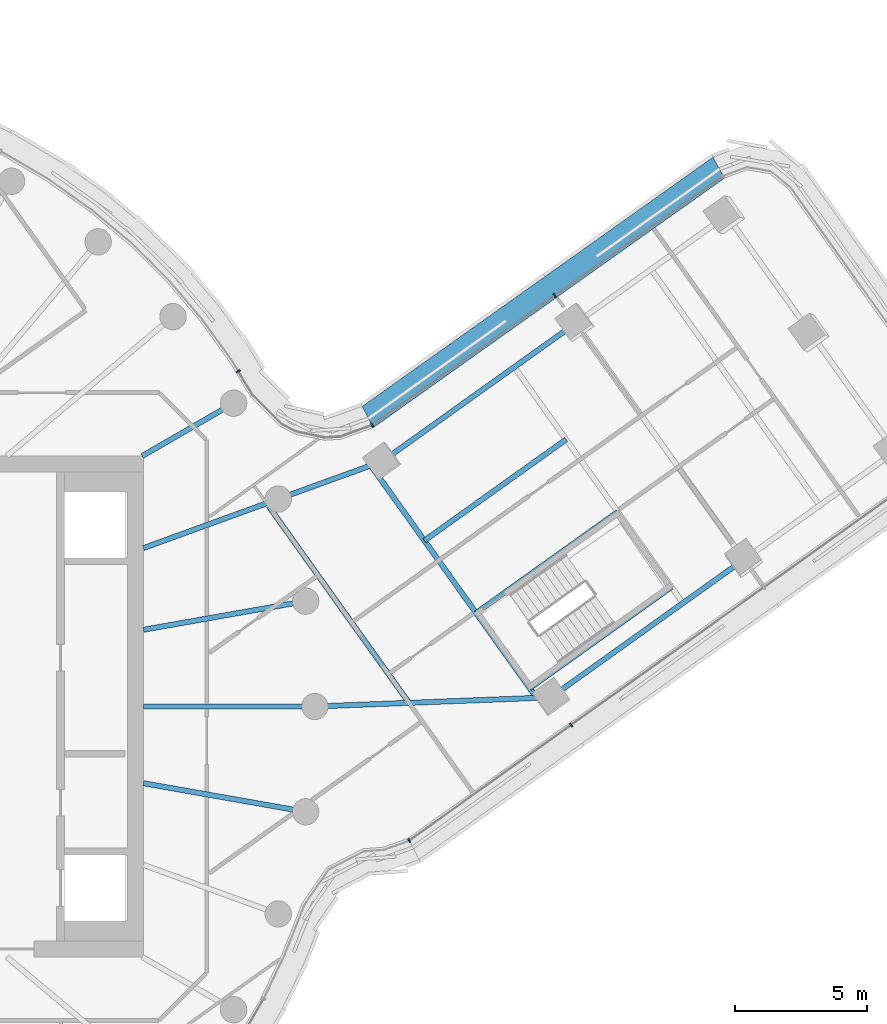
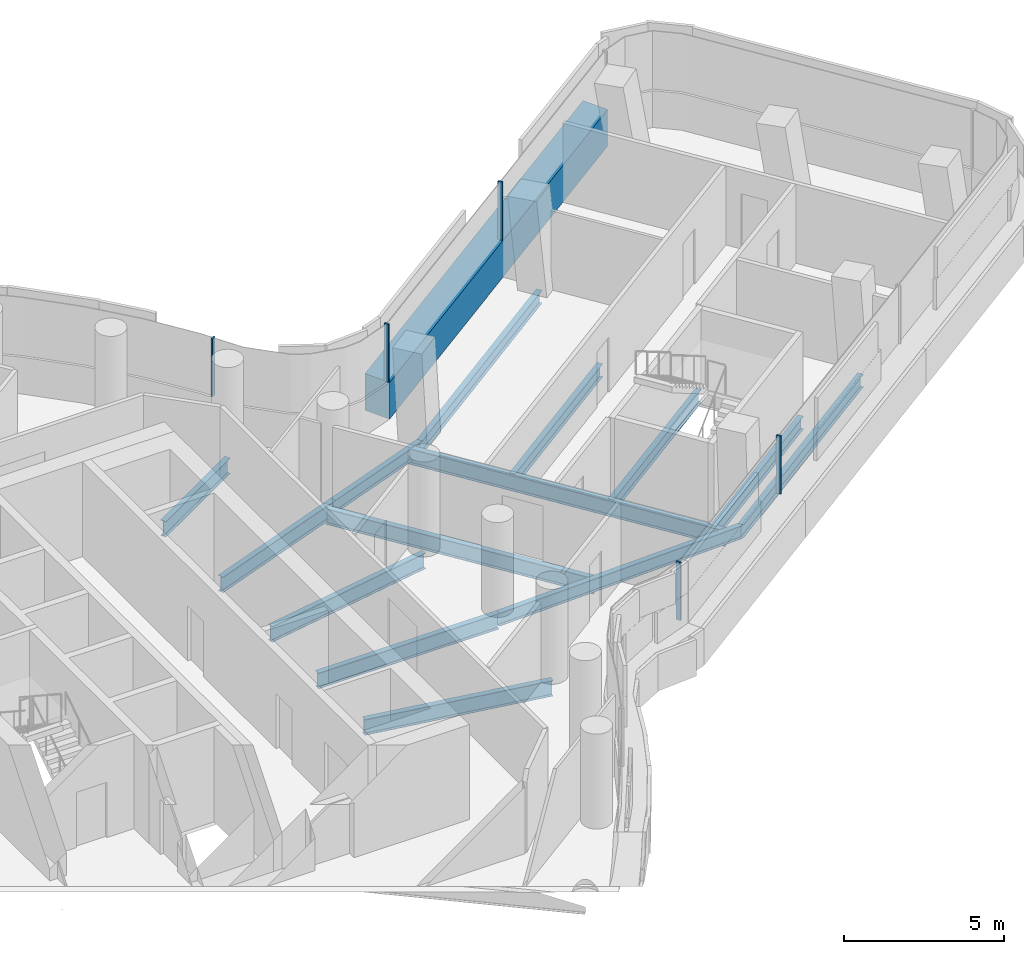
# One storey, part 11 of 31: 14 beams, 6 members, 3 elements without a shape of their own.
"""IFC4 building model written with IfcOpenShell, lengths in metres."""

from ifc_helpers import new_model, si_unit, direction, frame, origin, origin_2d, place, context, subcontext, project, spatial, polyline, rectangle, i_section, outline, extrude, material, layer, layer_set, material_profile, profile_set, type_object, element, aggregate, save


model = new_model("IFC4")

# Units and contexts
model_context = context("Model", 3, precision=1e-05, world=origin(), true_north=direction((0.0, 1.0)))
body_context = subcontext(model_context, "Body", "Model", "MODEL_VIEW")
ifc_project = project(units=[si_unit("LENGTHUNIT", "METRE"), si_unit("AREAUNIT", "SQUARE_METRE"), si_unit("VOLUMEUNIT", "CUBIC_METRE"), si_unit("PLANEANGLEUNIT", "RADIAN"), si_unit("MASSUNIT", "GRAM", prefix="KILO")], contexts=[model_context])

# Site, building, storey
site_placement = place(None, origin())
site = spatial("IfcSite", under=ifc_project, at=site_placement, CompositionType="ELEMENT")
building_placement = place(site_placement, origin())
building = spatial("IfcBuilding", under=site, at=building_placement, Name="Tamarind Cross Interchange Tower", CompositionType="ELEMENT")
storey_placement = place(building_placement, frame((0.0, 0.0, 163.0)))
storey = spatial("IfcBuildingStorey", under=building, at=storey_placement, Name="L40", CompositionType="ELEMENT", Elevation=163.0)

# Beams
ifc_material_1 = material(Name="Steel Q355B", Category="steel")
ifc_material_profile_1 = material_profile(ifc_material_1, i_section(OverallWidth=0.198974609375, OverallDepth=0.49609375, WebThickness=0.009033203125, FlangeThickness=0.013916015625, FilletRadius=0.012939453125, at=origin_2d()), Name="HN 496x199x9x14")
ifc_profile_set_1 = profile_set([ifc_material_profile_1], Name="Steel Q355B")
beam_type_1 = type_object("IfcBeamType", Name="Composite beam HN 496x199x9x14 Q355B", PredefinedType="BEAM", material=ifc_profile_set_1)
beam_1_placement = place(storey_placement, frame((39.27587890625, 5.575439453125, -0.387939453125), z_axis=(-0.813883740834, -0.581027758722, 0.0), x_axis=(0.581027758722, -0.813883740834, 0.0)))
element("IfcBeam", 1, at=beam_1_placement, inside=storey, type_object=beam_type_1, Name="Beam E-edgeem6", PredefinedType="BEAM", context=body_context, shape_type="SweptSolid", body=[
    extrude(i_section(OverallWidth=0.198974609375, OverallDepth=0.49609375, WebThickness=0.009033203125, FlangeThickness=0.013916015625, FilletRadius=0.012939453125, at=origin_2d()), origin(), (0.0, 0.0, 1.0), 9.0),
])
beam_2_placement = place(storey_placement, frame((32.884521484375, 14.5283203125, -0.387939453125), z_axis=(-0.813870912898, -0.581045727236, 0.0), x_axis=(0.581045727236, -0.813870912898, 0.0)))
element("IfcBeam", 2, at=beam_2_placement, inside=storey, type_object=beam_type_1, Name="Beam E-edgeep3", PredefinedType="BEAM", context=body_context, shape_type="SweptSolid", body=[
    extrude(i_section(OverallWidth=0.198974609375, OverallDepth=0.49609375, WebThickness=0.009033203125, FlangeThickness=0.013916015625, FilletRadius=0.012939453125, at=origin_2d()), origin(), (0.0, 0.0, 1.0), 9.000244140625),
])
beam_3_placement = place(storey_placement, frame((31.950927734375, 0.34619140625, -0.387939453125), z_axis=(-0.999252898578, -0.038647699593, 0.0), x_axis=(0.038647699593, -0.999252898578, 0.0)))
element("IfcBeam", 3, at=beam_3_placement, inside=storey, type_object=beam_type_1, Name="Beam E-linkem", PredefinedType="BEAM", context=body_context, shape_type="SweptSolid", body=[
    extrude(i_section(OverallWidth=0.198974609375, OverallDepth=0.49609375, WebThickness=0.009033203125, FlangeThickness=0.013916015625, FilletRadius=0.012939453125, at=origin_2d()), origin(), (0.0, 0.0, 1.0), 8.95751953125),
])
beam_4_placement = place(storey_placement, frame((25.5595703125, 9.298828125, -0.387939453125), z_axis=(-0.940002080306, -0.341168710495, 0.0), x_axis=(0.341168710495, -0.940002080306, 0.0)))
element("IfcBeam", 4, at=beam_4_placement, inside=storey, type_object=beam_type_1, Name="Beam E-linkep", PredefinedType="BEAM", context=body_context, shape_type="SweptSolid", body=[
    extrude(i_section(OverallWidth=0.198974609375, OverallDepth=0.49609375, WebThickness=0.009033203125, FlangeThickness=0.013916015625, FilletRadius=0.012939453125, at=origin_2d()), origin(), (0.0, 0.0, 1.0), 4.198486328125),
])
for number, where, z_axis, x_axis, name in (
    (5, (31.14892578125, 0.695068359375, -0.387939453125), (0.813868415176, 0.581049225779, 0.0), (-0.581049225779, 0.813868415176, 0.0), "Beam E-tr0"),
    (6, (29.115234375, 3.543701171875, -0.387939453125), (0.813868415176, 0.581049225779, 0.0), (-0.581049225779, 0.813868415176, 0.0), "Beam E-tr1"),
    (7, (27.154296875, 6.29052734375, -0.387939453125), (0.813868415176, 0.581049225779, 0.0), (-0.581049225779, 0.813868415176, 0.0), "Beam E-stripp"),
):
    element("IfcBeam", number, at=place(storey_placement, frame(where, z_axis=z_axis, x_axis=x_axis)), inside=storey, type_object=beam_type_1, Name=name, PredefinedType="BEAM", context=body_context, shape_type="SweptSolid", body=[
        extrude(i_section(OverallWidth=0.198974609375, OverallDepth=0.49609375, WebThickness=0.009033203125, FlangeThickness=0.013916015625, FilletRadius=0.012939453125, at=origin_2d()), origin(), (0.0, 0.0, 1.0), 6.60009765625),
    ])
ifc_material_profile_2 = material_profile(ifc_material_1, i_section(OverallWidth=0.198974609375, OverallDepth=0.595947265625, WebThickness=0.010009765625, FlangeThickness=0.014892578125, FilletRadius=0.012939453125, at=origin_2d()), Name="HN 596x199x10x15")
ifc_profile_set_2 = profile_set([ifc_material_profile_2], Name="Steel Q355B")
beam_type_2 = type_object("IfcBeamType", Name="Composite beam HN 596x199x10x15 Q355B", PredefinedType="BEAM", material=ifc_profile_set_2)
beam_5_placement = place(storey_placement, frame((23.0, 0.0, -0.43798828125), z_axis=(-1.0, 0.0, 0.0), x_axis=(0.0, -1.0, 0.0)))
element("IfcBeam", 8, at=beam_5_placement, inside=storey, type_object=beam_type_2, Name="Beam HH00", PredefinedType="BEAM", context=body_context, shape_type="SweptSolid", body=[
    extrude(i_section(OverallWidth=0.198974609375, OverallDepth=0.595947265625, WebThickness=0.010009765625, FlangeThickness=0.014892578125, FilletRadius=0.012939453125, at=origin_2d()), origin(), (0.0, 0.0, 1.0), 6.5),
])
beam_6_placement = place(storey_placement, frame((22.650634765625, 3.993896484375, -0.43798828125), z_axis=(-0.984809127561, -0.173640382036, 0.0), x_axis=(0.173640382036, -0.984809127561, 0.0)))
element("IfcBeam", 9, at=beam_6_placement, inside=storey, type_object=beam_type_2, Name="Beam HH01", PredefinedType="BEAM", context=body_context, shape_type="SweptSolid", body=[
    extrude(i_section(OverallWidth=0.198974609375, OverallDepth=0.595947265625, WebThickness=0.010009765625, FlangeThickness=0.014892578125, FilletRadius=0.012939453125, at=origin_2d()), origin(), (0.0, 0.0, 1.0), 6.24560546875),
])
beam_7_placement = place(storey_placement, frame((21.613037109375, 7.866455078125, -0.43798828125), z_axis=(-0.939701685589, -0.341995236956, 0.0), x_axis=(0.341995236956, -0.939701685589, 0.0)))
element("IfcBeam", 10, at=beam_7_placement, inside=storey, type_object=beam_type_2, Name="Beam HH02", PredefinedType="BEAM", context=body_context, shape_type="SweptSolid", body=[
    extrude(i_section(OverallWidth=0.198974609375, OverallDepth=0.595947265625, WebThickness=0.010009765625, FlangeThickness=0.014892578125, FilletRadius=0.012939453125, at=origin_2d()), origin(), (0.0, 0.0, 1.0), 5.441162109375),
])
beam_8_placement = place(storey_placement, frame((19.918701171875, 11.5, -0.43798828125), z_axis=(-0.866026010844, -0.49999894854, 0.0), x_axis=(0.49999894854, -0.866026010844, 0.0)))
element("IfcBeam", 11, at=beam_8_placement, inside=storey, type_object=beam_type_2, Name="Beam HH03", PredefinedType="BEAM", context=body_context, shape_type="SweptSolid", body=[
    extrude(i_section(OverallWidth=0.198974609375, OverallDepth=0.595947265625, WebThickness=0.010009765625, FlangeThickness=0.014892578125, FilletRadius=0.012939453125, at=origin_2d()), origin(), (0.0, 0.0, 1.0), 4.0),
])
beam_9_placement = place(storey_placement, frame((22.650634765625, -3.993896484375, -0.43798828125), z_axis=(-0.984809127561, 0.173640382036, 0.0), x_axis=(-0.173640382036, -0.984809127561, 0.0)))
element("IfcBeam", 12, at=beam_9_placement, inside=storey, type_object=beam_type_2, Name="Beam HH35", PredefinedType="BEAM", context=body_context, shape_type="SweptSolid", body=[
    extrude(i_section(OverallWidth=0.198974609375, OverallDepth=0.595947265625, WebThickness=0.010009765625, FlangeThickness=0.014892578125, FilletRadius=0.012939453125, at=origin_2d()), origin(), (0.0, 0.0, 1.0), 6.24560546875),
])
ifc_material_profile_3 = material_profile(ifc_material_1, i_section(OverallWidth=0.199951171875, OverallDepth=0.60009765625, WebThickness=0.010986328125, FlangeThickness=0.01708984375, FilletRadius=0.012939453125, at=origin_2d()), Name="HN 600x200x11x17")
ifc_profile_set_3 = profile_set([ifc_material_profile_3], Name="Steel Q355B")
beam_type_3 = type_object("IfcBeamType", Name="Composite beam HN 600x200x11x17 Q355B", PredefinedType="BEAM", material=ifc_profile_set_3)
beam_10_placement = place(storey_placement, frame((31.412841796875, 0.325439453125, -0.43994140625), z_axis=(-0.58103132482, 0.813881195002, 0.0), x_axis=(-0.813881195002, -0.58103132482, 0.0)))
element("IfcBeam", 13, at=beam_10_placement, inside=storey, type_object=beam_type_3, Name="Beam E-x298", PredefinedType="BEAM", context=body_context, shape_type="SweptSolid", body=[
    extrude(i_section(OverallWidth=0.199951171875, OverallDepth=0.60009765625, WebThickness=0.010986328125, FlangeThickness=0.01708984375, FilletRadius=0.012939453125, at=origin_2d()), origin(), (0.0, 0.0, 1.0), 10.829833984375),
])
beam_11_placement = place(storey_placement, frame((26.5703125, 0.13818359375, -0.43994140625), z_axis=(-0.581019073038, 0.813889941433, 0.0), x_axis=(-0.813889941433, -0.581019073038, 0.0)))
element("IfcBeam", 14, at=beam_11_placement, inside=storey, type_object=beam_type_3, Name="Beam E-x258", PredefinedType="BEAM", context=body_context, shape_type="SweptSolid", body=[
    extrude(i_section(OverallWidth=0.199951171875, OverallDepth=0.60009765625, WebThickness=0.010986328125, FlangeThickness=0.01708984375, FilletRadius=0.012939453125, at=origin_2d()), origin(), (0.0, 0.0, 1.0), 9.17041015625),
])

# Curtain wall, member
ifc_material_2 = material(Name="Aluminium 6063-T6", Category="aluminium")
ifc_layer = layer(ifc_material_2, 0.159912109375)
ifc_layer_set = layer_set([ifc_layer], Name="Aluminium 6063-T6")
curtain_wall_type = type_object("IfcCurtainWallType", Name="Office curtain wall, 9.0 m bays", PredefinedType="NOTDEFINED", material=ifc_layer_set)
curtain_wall_1_placement = place(storey_placement, origin())
curtain_wall_1 = element("IfcCurtainWall", 15, at=curtain_wall_1_placement, inside=storey, type_object=curtain_wall_type, Name="CWS-L40-05", PredefinedType="NOTDEFINED")
ifc_material_3 = material(Name="Aluminium and insulated spandrel panel", Category="aluminium")
member_type_1 = type_object("IfcMemberType", Name="Floor-edge blade transom", PredefinedType="USERDEFINED", material=ifc_material_3)
member_1_placement = place(storey_placement, origin())
member_1 = element("IfcMember", 16, at=member_1_placement, type_object=member_type_1, Name="CWT-L40-05", ObjectType="TRANSOM", PredefinedType="USERDEFINED", context=body_context, shape_type="SweptSolid", body=[
    extrude(outline(polyline([(38.52490234375, 20.029541015625), (25.2158203125, 10.57421875), (24.79541015625, 11.379638671875), (38.099365234375, 20.8310546875), (38.52490234375, 20.029541015625)])), origin(), (0.0, 0.0, 1.0), 1.39990234375),
])

# Curtain wall, members
curtain_wall_2_placement = place(storey_placement, origin())
curtain_wall_2 = element("IfcCurtainWall", 17, at=curtain_wall_2_placement, inside=storey, type_object=curtain_wall_type, Name="CWS-L40-03", PredefinedType="NOTDEFINED")
ifc_material_profile_4 = material_profile(ifc_material_2, rectangle(XDim=0.06005859375, YDim=0.159912109375, at=origin_2d()), Name="Mullion CW1")
ifc_profile_set_4 = profile_set([ifc_material_profile_4], Name="Aluminium 6063-T6")
member_type_2 = type_object("IfcMemberType", Name="Mullion CW1", PredefinedType="MULLION", material=ifc_profile_set_4)
member_2_placement = place(storey_placement, frame((26.5791015625, -5.086181640625, 1.39990234375), z_axis=(0.0, 0.0, 1.0), x_axis=(0.885172224899, 0.46526350842, 0.0)))
member_2 = element("IfcMember", 18, at=member_2_placement, type_object=member_type_2, Name="CWM-L40-03-00", PredefinedType="MULLION", context=body_context, shape_type="SweptSolid", body=[
    extrude(rectangle(XDim=0.06005859375, YDim=0.159912109375, at=origin_2d()), origin(), (0.0, 0.0, 1.0), 2.210205078125),
])
member_3_placement = place(storey_placement, frame((32.715087890625, -0.70556640625, 1.39990234375), z_axis=(0.0, 0.0, 1.0), x_axis=(0.81388031548, 0.581032556811, 0.0)))
member_3 = element("IfcMember", 19, at=member_3_placement, type_object=member_type_2, Name="CWM-L40-03-01", PredefinedType="MULLION", context=body_context, shape_type="SweptSolid", body=[
    extrude(rectangle(XDim=0.06005859375, YDim=0.159912109375, at=origin_2d()), origin(), (0.0, 0.0, 1.0), 2.210205078125),
])
aggregate(curtain_wall_2, [member_2, member_3])

# Member
member_4_placement = place(storey_placement, frame((32.096435546875, 15.585205078125, 1.39990234375), z_axis=(0.0, 0.0, 1.0), x_axis=(-0.815214734027, -0.579158818828, 0.0)))
member_4 = element("IfcMember", 20, at=member_4_placement, type_object=member_type_2, Name="CWM-L40-05-01", PredefinedType="MULLION", context=body_context, shape_type="SweptSolid", body=[
    extrude(rectangle(XDim=0.06005859375, YDim=0.159912109375, at=origin_2d()), origin(), (0.0, 0.0, 1.0), 2.210205078125),
])

aggregate(curtain_wall_1, [member_4, member_1])

# Curtain wall, members
curtain_wall_3_placement = place(storey_placement, origin())
curtain_wall_3 = element("IfcCurtainWall", 21, at=curtain_wall_3_placement, inside=storey, type_object=curtain_wall_type, Name="CWS-L40-06", PredefinedType="NOTDEFINED")
member_5_placement = place(storey_placement, frame((25.169189453125, 10.663818359375, 1.39990234375), z_axis=(0.0, 0.0, 1.0), x_axis=(-0.886504008306, -0.462720912924, 0.0)))
member_5 = element("IfcMember", 22, at=member_5_placement, type_object=member_type_2, Name="CWM-L40-06-00", PredefinedType="MULLION", context=body_context, shape_type="SweptSolid", body=[
    extrude(rectangle(XDim=0.06005859375, YDim=0.159912109375, at=origin_2d()), origin(), (0.0, 0.0, 1.0), 2.210205078125),
])
member_6_placement = place(storey_placement, frame((20.09765625, 12.71484375, 1.39990234375), z_axis=(0.0, 0.0, 1.0), x_axis=(-0.516716751122, 0.856156410424, 0.0)))
member_6 = element("IfcMember", 23, at=member_6_placement, type_object=member_type_2, Name="CWM-L40-06-01", PredefinedType="MULLION", context=body_context, shape_type="SweptSolid", body=[
    extrude(rectangle(XDim=0.06005859375, YDim=0.159912109375, at=origin_2d()), origin(), (0.0, 0.0, 1.0), 2.210205078125),
])
aggregate(curtain_wall_3, [member_5, member_6])

save(model, "model.ifc")
